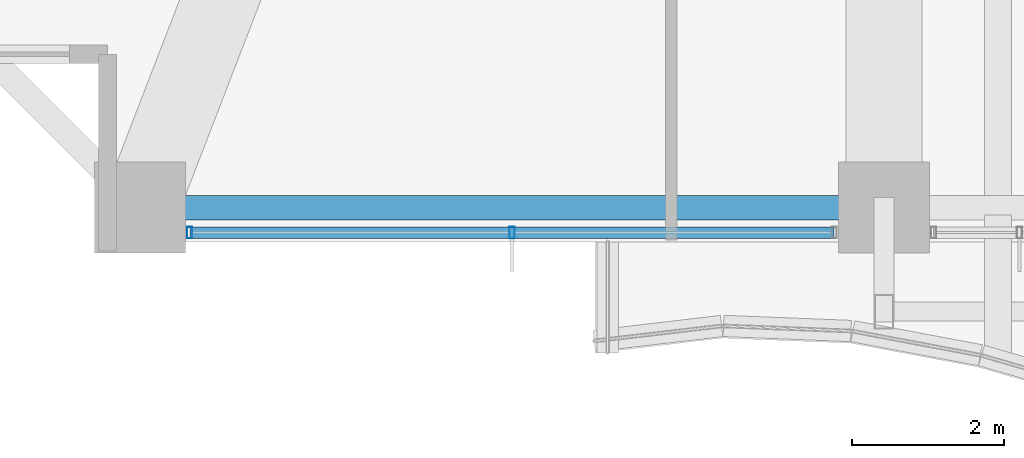
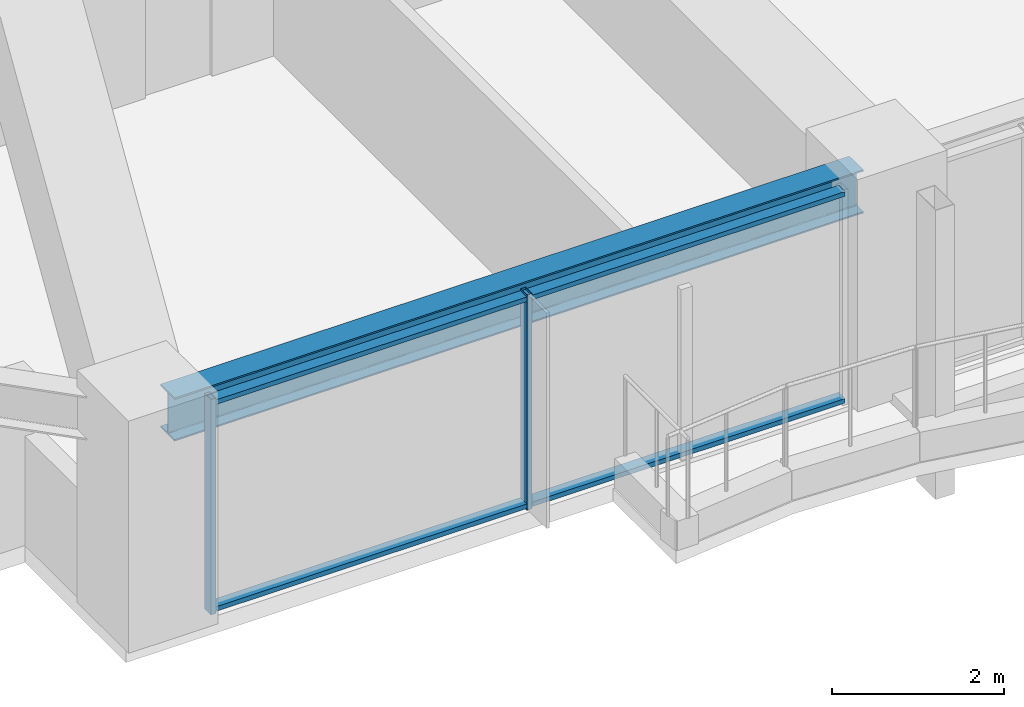
# One storey, part 2 of 37: 4 members, 1 beam, 1 element without a shape of its own.
"""IFC4 building model written with IfcOpenShell, lengths in metres."""

from ifc_helpers import new_model, si_unit, direction, frame, origin, origin_2d, place, context, subcontext, project, spatial, hollow_rectangle, i_section, extrude, material, material_profile, profile_set, type_object, element, aggregate, save


model = new_model("IFC4")

# Units and contexts
model_context = context("Model", 3, precision=1e-05, world=origin(), true_north=direction((0.0, 1.0)))
body_context = subcontext(model_context, "Body", "Model", "MODEL_VIEW")
ifc_project = project(units=[si_unit("LENGTHUNIT", "METRE"), si_unit("AREAUNIT", "SQUARE_METRE"), si_unit("VOLUMEUNIT", "CUBIC_METRE"), si_unit("PLANEANGLEUNIT", "RADIAN"), si_unit("MASSUNIT", "GRAM", prefix="KILO")], contexts=[model_context])

# Site, building, storey
site_placement = place(None, origin())
site = spatial("IfcSite", under=ifc_project, at=site_placement, CompositionType="ELEMENT")
building_placement = place(site_placement, origin())
building = spatial("IfcBuilding", under=site, at=building_placement, Name="Kolvaren Belvedere", CompositionType="ELEMENT")
storey_placement = place(building_placement, frame((0.0, 0.0, 43.60009765625)))
storey = spatial("IfcBuildingStorey", under=building, at=storey_placement, Name="L12", CompositionType="ELEMENT", Elevation=43.60009765625)

# Beam
ifc_material_1 = material(Name="Structural steel ASTM A992 Grade 50", Category="steel")
ifc_material_profile_1 = material_profile(ifc_material_1, i_section(OverallWidth=0.324951171875, OverallDepth=0.615966796875, WebThickness=0.013916015625, FlangeThickness=0.021484375, FilletRadius=0.02001953125, at=origin_2d()), Name="W24X117")
ifc_profile_set_1 = profile_set([ifc_material_profile_1], Name="Structural steel ASTM A992 Grade 50")
beam_type = type_object("IfcBeamType", Name="BM-SPAN-W24X117", PredefinedType="SPANDREL", material=ifc_profile_set_1)
beam_placement = place(storey_placement, frame((-14.1298828125, -21.550048828125, 2.751953125), z_axis=(1.0, 0.0, 0.0), x_axis=(0.0, 1.0, 0.0)))
element("IfcBeam", 1, at=beam_placement, inside=storey, type_object=beam_type, Name="L12 Perimeter Spandrel S1-S2", PredefinedType="SPANDREL", context=body_context, shape_type="SweptSolid", body=[
    extrude(i_section(OverallWidth=0.324951171875, OverallDepth=0.615966796875, WebThickness=0.013916015625, FlangeThickness=0.021484375, FilletRadius=0.02001953125, at=origin_2d()), origin(), (0.0, 0.0, 1.0), 9.259765625),
])

# Curtain wall, members
ifc_material_2 = material(Name="Anodised pale-metal aluminium AA 6063-T6", Category="aluminium")
curtain_wall_type = type_object("IfcCurtainWallType", Name="CW-Z1-LOW", PredefinedType="NOTDEFINED", material=ifc_material_2)
curtain_wall_placement = place(storey_placement, origin())
curtain_wall = element("IfcCurtainWall", 2, at=curtain_wall_placement, inside=storey, type_object=curtain_wall_type, Name="L12 Unitised Curtain Wall FCW-L12-S2-B2", PredefinedType="NOTDEFINED")
ifc_material_3 = material(Name="Anodised pale-metal aluminium AA 6063-T6", Category="aluminium")
ifc_material_profile_2 = material_profile(ifc_material_3, hollow_rectangle(XDim=0.070068359375, YDim=0.14990234375, WallThickness=0.004150390625, at=origin_2d()), Name="ALU-MUL-150X70")
ifc_profile_set_2 = profile_set([ifc_material_profile_2], Name="Anodised pale-metal aluminium AA 6063-T6")
member_type_1 = type_object("IfcMemberType", Name="CW-MUL-150", PredefinedType="MULLION", material=ifc_profile_set_2)
member_1_placement = place(storey_placement, frame((-9.5, -21.8798828125, 0.0), z_axis=(0.0, 0.0, 1.0), x_axis=(1.0, 0.0, 0.0)))
member_1 = element("IfcMember", 3, at=member_1_placement, type_object=member_type_1, Name="FCW-L12-S2-B2 Unitised Mullion 2", PredefinedType="MULLION", context=body_context, shape_type="SweptSolid", body=[
    extrude(hollow_rectangle(XDim=0.070068359375, YDim=0.14990234375, WallThickness=0.004150390625, at=origin_2d()), origin(), (0.0, 0.0, 1.0), 3.059814453125),
])
member_2_placement = place(storey_placement, frame((-13.7451171875, -21.8798828125, 0.0), z_axis=(0.0, 0.0, 1.0), x_axis=(1.0, 0.0, 0.0)))
member_2 = element("IfcMember", 4, at=member_2_placement, type_object=member_type_1, Name="FCW-L12-S2-B2 Unitised Mullion 3", PredefinedType="MULLION", context=body_context, shape_type="SweptSolid", body=[
    extrude(hollow_rectangle(XDim=0.070068359375, YDim=0.14990234375, WallThickness=0.004150390625, at=origin_2d()), origin(), (0.0, 0.0, 1.0), 3.059814453125),
])
ifc_material_4 = material(Name="Anodised pale-metal aluminium AA 6063-T6", Category="aluminium")
ifc_material_profile_3 = material_profile(ifc_material_4, hollow_rectangle(XDim=0.06494140625, YDim=0.14990234375, WallThickness=0.00390625, at=origin_2d()), Name="ALU-TRN-150X65")
ifc_profile_set_3 = profile_set([ifc_material_profile_3], Name="Anodised pale-metal aluminium AA 6063-T6")
member_type_2 = type_object("IfcMemberType", Name="CW-TRN-150", PredefinedType="USERDEFINED", material=ifc_profile_set_3)
member_3_placement = place(storey_placement, frame((-5.2548828125, -21.8798828125, 0.059814453125), z_axis=(-1.0, 0.0, 0.0), x_axis=(0.0, 0.0, 1.0)))
member_3 = element("IfcMember", 5, at=member_3_placement, type_object=member_type_2, Name="FCW-L12-S2-B2 Sill Transom", ObjectType="TRANSOM", PredefinedType="USERDEFINED", context=body_context, shape_type="SweptSolid", body=[
    extrude(hollow_rectangle(XDim=0.06494140625, YDim=0.14990234375, WallThickness=0.00390625, at=origin_2d()), origin(), (0.0, 0.0, 1.0), 8.490234375),
])
member_4_placement = place(storey_placement, frame((-5.2548828125, -21.8798828125, 3.0), z_axis=(-1.0, 0.0, 0.0), x_axis=(0.0, 0.0, 1.0)))
member_4 = element("IfcMember", 6, at=member_4_placement, type_object=member_type_2, Name="FCW-L12-S2-B2 Head Transom", ObjectType="TRANSOM", PredefinedType="USERDEFINED", context=body_context, shape_type="SweptSolid", body=[
    extrude(hollow_rectangle(XDim=0.06494140625, YDim=0.14990234375, WallThickness=0.00390625, at=origin_2d()), origin(), (0.0, 0.0, 1.0), 8.490234375),
])
aggregate(curtain_wall, [member_1, member_2, member_3, member_4])

save(model, "model.ifc")
